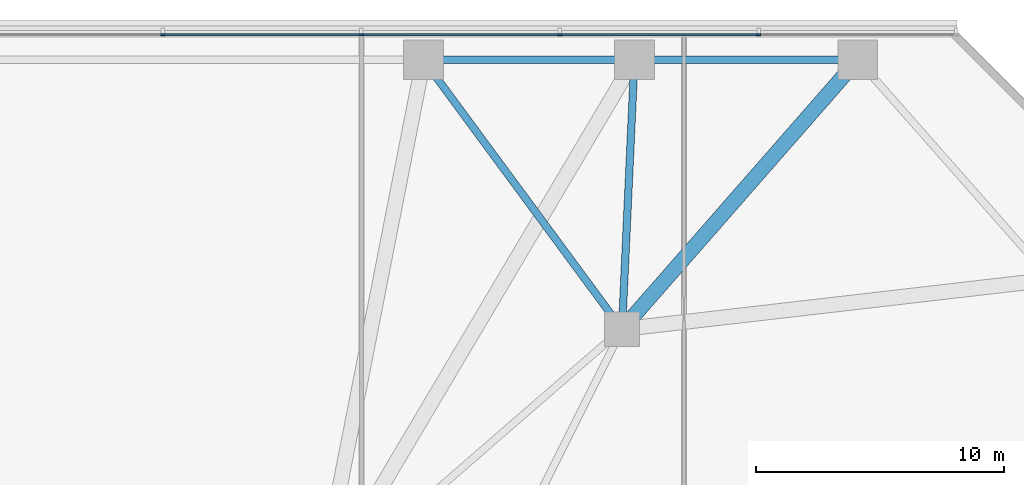
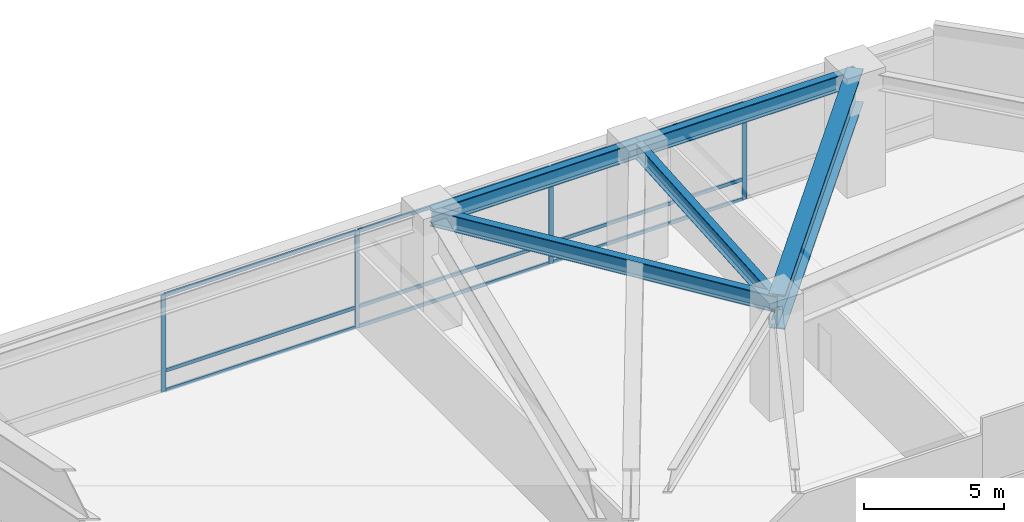
# One storey, part 11 of 28: 13 members, 5 beams, 1 element without a shape of its own.
"""IFC4 building model written with IfcOpenShell, lengths in metres."""

from ifc_helpers import new_model, si_unit, direction, frame, origin, origin_2d, place, context, subcontext, project, spatial, rectangle, i_section, extrude, material, layer, layer_set, material_profile, profile_set, type_object, element, aggregate, save


model = new_model("IFC4")

# Units and contexts
model_context = context("Model", 3, precision=1e-05, world=origin(), true_north=direction((0.0, 1.0)))
body_context = subcontext(model_context, "Body", "Model", "MODEL_VIEW")
ifc_project = project(units=[si_unit("LENGTHUNIT", "METRE"), si_unit("AREAUNIT", "SQUARE_METRE"), si_unit("VOLUMEUNIT", "CUBIC_METRE"), si_unit("PLANEANGLEUNIT", "RADIAN"), si_unit("MASSUNIT", "GRAM", prefix="KILO")], contexts=[model_context])

# Site, building, storey
site_placement = place(None, origin())
site = spatial("IfcSite", under=ifc_project, at=site_placement, CompositionType="ELEMENT")
building_placement = place(site_placement, origin())
building = spatial("IfcBuilding", under=site, at=building_placement, Name="Terralouvre Media Tower", CompositionType="ELEMENT")
storey_placement = place(building_placement, frame((0.0, 0.0, 10.39990234375)))
storey = spatial("IfcBuildingStorey", under=building, at=storey_placement, Name="L02", CompositionType="ELEMENT", Elevation=10.39990234375)

# Curtain wall, members
ifc_material_1 = material(Name="Low-iron laminated double glazing with solar-control coating", Category="glass")
ifc_layer = layer(ifc_material_1, 0.1650390625, Name="Podium Broadcast Gallery Glazing CW-01")
ifc_layer_set = layer_set([ifc_layer], Name="Low-iron laminated double glazing with solar-control coating")
curtain_wall_type = type_object("IfcCurtainWallType", Name="Podium Broadcast Gallery Glazing CW-01", PredefinedType="NOTDEFINED", material=ifc_layer_set)
curtain_wall_placement = place(storey_placement, origin())
curtain_wall = element("IfcCurtainWall", 1, at=curtain_wall_placement, inside=storey, type_object=curtain_wall_type, Name="L02 Podium Curtain Wall F4", PredefinedType="NOTDEFINED")
ifc_material_2 = material(Name="Anodised extruded aluminium 6063-T6", Category="aluminium")
ifc_material_profile_1 = material_profile(ifc_material_2, rectangle(XDim=0.074951171875, YDim=0.14990234375, at=origin_2d()), Name="ALU 75x150")
ifc_profile_set_1 = profile_set([ifc_material_profile_1], Name="Anodised extruded aluminium 6063-T6")
member_type_1 = type_object("IfcMemberType", Name="Curtain-Wall Horizontal Transom TR-150", PredefinedType="USERDEFINED", material=ifc_profile_set_1)
member_1_placement = place(storey_placement, frame((23.96240234375, 33.360107421875, 0.03759765625), z_axis=(-1.0, 0.0, 0.0), x_axis=(0.0, -1.0, 0.0)))
member_1 = element("IfcMember", 2, at=member_1_placement, type_object=member_type_1, Name="CW-01 transom 2.1", ObjectType="TRANSOM", PredefinedType="USERDEFINED", context=body_context, shape_type="SweptSolid", body=[
    extrude(rectangle(XDim=0.074951171875, YDim=0.14990234375, at=origin_2d()), origin(), (0.0, 0.0, 1.0), 7.9248046875),
])
member_2_placement = place(storey_placement, frame((23.96240234375, 33.360107421875, 0.900146484375), z_axis=(-1.0, 0.0, 0.0), x_axis=(0.0, -1.0, 0.0)))
member_2 = element("IfcMember", 3, at=member_2_placement, type_object=member_type_1, Name="CW-01 transom 2.2", ObjectType="TRANSOM", PredefinedType="USERDEFINED", context=body_context, shape_type="SweptSolid", body=[
    extrude(rectangle(XDim=0.074951171875, YDim=0.14990234375, at=origin_2d()), origin(), (0.0, 0.0, 1.0), 7.9248046875),
])
member_3_placement = place(storey_placement, frame((23.96240234375, 33.360107421875, 4.192626953125), z_axis=(-1.0, 0.0, 0.0), x_axis=(0.0, -1.0, 0.0)))
member_3 = element("IfcMember", 4, at=member_3_placement, type_object=member_type_1, Name="CW-01 transom 2.3", ObjectType="TRANSOM", PredefinedType="USERDEFINED", context=body_context, shape_type="SweptSolid", body=[
    extrude(rectangle(XDim=0.074951171875, YDim=0.14990234375, at=origin_2d()), origin(), (0.0, 0.0, 1.0), 7.9248046875),
])
member_4_placement = place(storey_placement, frame((15.96240234375, 33.360107421875, 0.03759765625), z_axis=(-1.0, 0.0, 0.0), x_axis=(0.0, -1.0, 0.0)))
member_4 = element("IfcMember", 5, at=member_4_placement, type_object=member_type_1, Name="CW-01 transom 3.1", ObjectType="TRANSOM", PredefinedType="USERDEFINED", context=body_context, shape_type="SweptSolid", body=[
    extrude(rectangle(XDim=0.074951171875, YDim=0.14990234375, at=origin_2d()), origin(), (0.0, 0.0, 1.0), 7.9248046875),
])
member_5_placement = place(storey_placement, frame((15.96240234375, 33.360107421875, 0.900146484375), z_axis=(-1.0, 0.0, 0.0), x_axis=(0.0, -1.0, 0.0)))
member_5 = element("IfcMember", 6, at=member_5_placement, type_object=member_type_1, Name="CW-01 transom 3.2", ObjectType="TRANSOM", PredefinedType="USERDEFINED", context=body_context, shape_type="SweptSolid", body=[
    extrude(rectangle(XDim=0.074951171875, YDim=0.14990234375, at=origin_2d()), origin(), (0.0, 0.0, 1.0), 7.9248046875),
])
member_6_placement = place(storey_placement, frame((15.96240234375, 33.360107421875, 4.192626953125), z_axis=(-1.0, 0.0, 0.0), x_axis=(0.0, -1.0, 0.0)))
member_6 = element("IfcMember", 7, at=member_6_placement, type_object=member_type_1, Name="CW-01 transom 3.3", ObjectType="TRANSOM", PredefinedType="USERDEFINED", context=body_context, shape_type="SweptSolid", body=[
    extrude(rectangle(XDim=0.074951171875, YDim=0.14990234375, at=origin_2d()), origin(), (0.0, 0.0, 1.0), 7.9248046875),
])
member_7_placement = place(storey_placement, frame((7.96240234375, 33.360107421875, 0.03759765625), z_axis=(-1.0, 0.0, 0.0), x_axis=(0.0, -1.0, 0.0)))
member_7 = element("IfcMember", 8, at=member_7_placement, type_object=member_type_1, Name="CW-01 transom 4.1", ObjectType="TRANSOM", PredefinedType="USERDEFINED", context=body_context, shape_type="SweptSolid", body=[
    extrude(rectangle(XDim=0.074951171875, YDim=0.14990234375, at=origin_2d()), origin(), (0.0, 0.0, 1.0), 7.9248046875),
])
member_8_placement = place(storey_placement, frame((7.96240234375, 33.360107421875, 0.900146484375), z_axis=(-1.0, 0.0, 0.0), x_axis=(0.0, -1.0, 0.0)))
member_8 = element("IfcMember", 9, at=member_8_placement, type_object=member_type_1, Name="CW-01 transom 4.2", ObjectType="TRANSOM", PredefinedType="USERDEFINED", context=body_context, shape_type="SweptSolid", body=[
    extrude(rectangle(XDim=0.074951171875, YDim=0.14990234375, at=origin_2d()), origin(), (0.0, 0.0, 1.0), 7.9248046875),
])
member_9_placement = place(storey_placement, frame((7.96240234375, 33.360107421875, 4.192626953125), z_axis=(-1.0, 0.0, 0.0), x_axis=(0.0, -1.0, 0.0)))
member_9 = element("IfcMember", 10, at=member_9_placement, type_object=member_type_1, Name="CW-01 transom 4.3", ObjectType="TRANSOM", PredefinedType="USERDEFINED", context=body_context, shape_type="SweptSolid", body=[
    extrude(rectangle(XDim=0.074951171875, YDim=0.14990234375, at=origin_2d()), origin(), (0.0, 0.0, 1.0), 7.9248046875),
])
ifc_material_3 = material(Name="Anodised extruded aluminium 6063-T6", Category="aluminium")
ifc_material_profile_2 = material_profile(ifc_material_3, rectangle(XDim=0.074951171875, YDim=0.179931640625, at=origin_2d()), Name="ALU 75x180")
ifc_profile_set_2 = profile_set([ifc_material_profile_2], Name="Anodised extruded aluminium 6063-T6")
member_type_2 = type_object("IfcMemberType", Name="Curtain-Wall Vertical Mullion ML-180", PredefinedType="MULLION", material=ifc_profile_set_2)
member_10_placement = place(storey_placement, frame((24.0, 33.360107421875, 0.0), z_axis=(0.0, 0.0, 1.0), x_axis=(0.0, -1.0, 0.0)))
member_10 = element("IfcMember", 11, at=member_10_placement, type_object=member_type_2, Name="CW-01 mullion 2", PredefinedType="MULLION", context=body_context, shape_type="SweptSolid", body=[
    extrude(rectangle(XDim=0.074951171875, YDim=0.179931640625, at=origin_2d()), origin(), (0.0, 0.0, 1.0), 4.22998046875),
])
member_11_placement = place(storey_placement, frame((16.0, 33.360107421875, 0.0), z_axis=(0.0, 0.0, 1.0), x_axis=(0.0, -1.0, 0.0)))
member_11 = element("IfcMember", 12, at=member_11_placement, type_object=member_type_2, Name="CW-01 mullion 3", PredefinedType="MULLION", context=body_context, shape_type="SweptSolid", body=[
    extrude(rectangle(XDim=0.074951171875, YDim=0.179931640625, at=origin_2d()), origin(), (0.0, 0.0, 1.0), 4.22998046875),
])
member_12_placement = place(storey_placement, frame((8.0, 33.360107421875, 0.0), z_axis=(0.0, 0.0, 1.0), x_axis=(0.0, -1.0, 0.0)))
member_12 = element("IfcMember", 13, at=member_12_placement, type_object=member_type_2, Name="CW-01 mullion 4", PredefinedType="MULLION", context=body_context, shape_type="SweptSolid", body=[
    extrude(rectangle(XDim=0.074951171875, YDim=0.179931640625, at=origin_2d()), origin(), (0.0, 0.0, 1.0), 4.22998046875),
])
member_13_placement = place(storey_placement, frame((0.0, 33.360107421875, 0.0), z_axis=(0.0, 0.0, 1.0), x_axis=(0.0, -1.0, 0.0)))
member_13 = element("IfcMember", 14, at=member_13_placement, type_object=member_type_2, Name="CW-01 mullion 5", PredefinedType="MULLION", context=body_context, shape_type="SweptSolid", body=[
    extrude(rectangle(XDim=0.074951171875, YDim=0.179931640625, at=origin_2d()), origin(), (0.0, 0.0, 1.0), 4.22998046875),
])
aggregate(curtain_wall, [member_10, member_11, member_12, member_13, member_1, member_2, member_3, member_4, member_5, member_6, member_7, member_8, member_9])

# Beams
ifc_material_4 = material(Name="Structural steel S460M", Category="steel")
ifc_material_profile_3 = material_profile(ifc_material_4, i_section(OverallWidth=0.300048828125, OverallDepth=0.699951171875, WebThickness=0.01708984375, FlangeThickness=0.031982421875, at=origin_2d()), Name="HEB 700")
ifc_profile_set_3 = profile_set([ifc_material_profile_3], Name="Structural steel S460M")
beam_type_1 = type_object("IfcBeamType", Name="Primary Floor Girder B-HEB700 (HEB 700)", PredefinedType="BEAM", material=ifc_profile_set_3)
beam_1_placement = place(storey_placement, frame((18.5, 21.5, 4.60009765625), z_axis=(0.046033681898, 0.998939888147, 0.0), x_axis=(-0.998939888147, 0.046033681898, 0.0)))
element("IfcBeam", 15, at=beam_1_placement, inside=storey, type_object=beam_type_1, Name="L02 Framing Beam BM-L02-PM20P1", PredefinedType="BEAM", context=body_context, shape_type="SweptSolid", body=[
    extrude(i_section(OverallWidth=0.300048828125, OverallDepth=0.699951171875, WebThickness=0.01708984375, FlangeThickness=0.031982421875, at=origin_2d()), origin(), (0.0, 0.0, 1.0), 10.861572265625),
])
beam_2_placement = place(storey_placement, frame((18.5, 21.5, 4.60009765625), z_axis=(-0.593448591359, 0.804871896276, 0.0), x_axis=(-0.804871896276, -0.593448591359, 0.0)))
element("IfcBeam", 16, at=beam_2_placement, inside=storey, type_object=beam_type_1, Name="L02 Framing Beam BM-L02-PM20P2", PredefinedType="BEAM", context=body_context, shape_type="SweptSolid", body=[
    extrude(i_section(OverallWidth=0.300048828125, OverallDepth=0.699951171875, WebThickness=0.01708984375, FlangeThickness=0.031982421875, at=origin_2d()), origin(), (0.0, 0.0, 1.0), 13.48046875),
])
beam_3_placement = place(storey_placement, frame((28.0, 32.35009765625, 4.60009765625), z_axis=(-1.0, 0.0, 0.0), x_axis=(0.0, -1.0, 0.0)))
element("IfcBeam", 17, at=beam_3_placement, inside=storey, type_object=beam_type_1, Name="L02 Framing Beam BM-L02-PR11", PredefinedType="BEAM", context=body_context, shape_type="SweptSolid", body=[
    extrude(i_section(OverallWidth=0.300048828125, OverallDepth=0.699951171875, WebThickness=0.01708984375, FlangeThickness=0.031982421875, at=origin_2d()), origin(), (0.0, 0.0, 1.0), 9.0),
])
beam_4_placement = place(storey_placement, frame((19.0, 32.35009765625, 4.60009765625), z_axis=(-1.0, 0.0, 0.0), x_axis=(0.0, -1.0, 0.0)))
element("IfcBeam", 18, at=beam_4_placement, inside=storey, type_object=beam_type_1, Name="L02 Framing Beam BM-L02-PR12", PredefinedType="BEAM", context=body_context, shape_type="SweptSolid", body=[
    extrude(i_section(OverallWidth=0.300048828125, OverallDepth=0.699951171875, WebThickness=0.01708984375, FlangeThickness=0.031982421875, at=origin_2d()), origin(), (0.0, 0.0, 1.0), 8.5),
])
ifc_material_5 = material(Name="Structural steel S460M", Category="steel")
ifc_material_profile_4 = material_profile(ifc_material_5, i_section(OverallWidth=0.60009765625, OverallDepth=1.5, WebThickness=0.033935546875, FlangeThickness=0.054931640625, at=origin_2d()), Name="PG 1500x600")
ifc_profile_set_4 = profile_set([ifc_material_profile_4], Name="Structural steel S460M")
beam_type_2 = type_object("IfcBeamType", Name="Primary Floor Girder B-PG1500 (PG 1500x600)", PredefinedType="BEAM", material=ifc_profile_set_4)
beam_5_placement = place(storey_placement, frame((18.5, 21.5, 4.2001953125), z_axis=(0.658746675471, 0.752364816799, 0.0), x_axis=(-0.752364816799, 0.658746675471, 0.0)))
element("IfcBeam", 19, at=beam_5_placement, inside=storey, type_object=beam_type_2, Name="L02 Framing Beam BM-L02-RD11", PredefinedType="BEAM", context=body_context, shape_type="SweptSolid", body=[
    extrude(i_section(OverallWidth=0.60009765625, OverallDepth=1.5, WebThickness=0.033935546875, FlangeThickness=0.054931640625, at=origin_2d()), origin(), (0.0, 0.0, 1.0), 14.42138671875),
])

save(model, "model.ifc")
